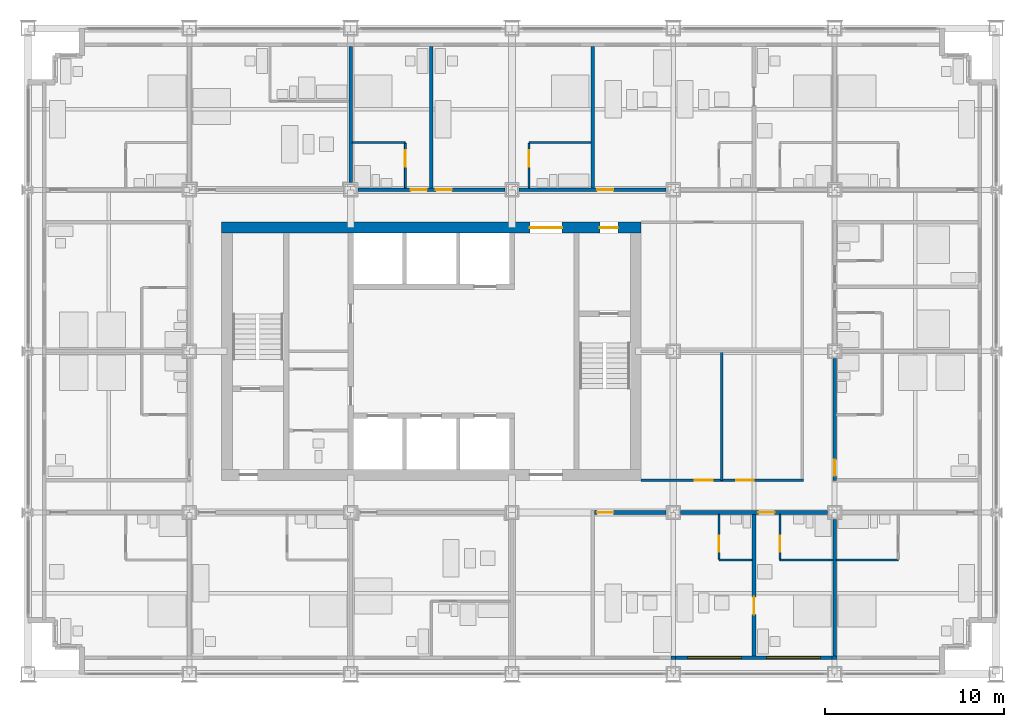
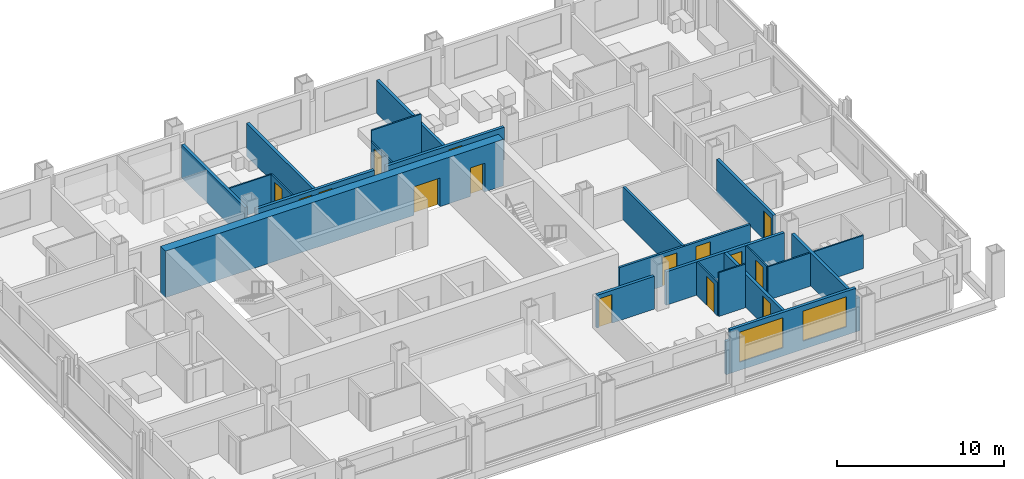
# One storey, part 12 of 18: 25 walls, 15 doors, 2 windows, 17 openings.
"""IFC4 building model written with IfcOpenShell, lengths in metres."""

from ifc_helpers import new_model, si_unit, direction, frame, frame_2d, origin, place, context, subcontext, project, spatial, rectangle, extrude, material, layer, layer_set, type_object, element, fill, save


model = new_model("IFC4")

# Units and contexts
model_context = context("Model", 3, precision=1e-05, world=origin(), true_north=direction((0.0, 1.0)))
body_context = subcontext(model_context, "Body", "Model", "MODEL_VIEW")
ifc_project = project(units=[si_unit("LENGTHUNIT", "METRE"), si_unit("AREAUNIT", "SQUARE_METRE"), si_unit("VOLUMEUNIT", "CUBIC_METRE"), si_unit("PLANEANGLEUNIT", "RADIAN"), si_unit("MASSUNIT", "GRAM", prefix="KILO")], contexts=[model_context])

# Site, building, storey
site_placement = place(None, origin())
site = spatial("IfcSite", under=ifc_project, at=site_placement, CompositionType="ELEMENT")
building_placement = place(site_placement, origin())
building = spatial("IfcBuilding", under=site, at=building_placement, Name="Loomwork Tower", CompositionType="ELEMENT")
storey_placement = place(building_placement, frame((0.0, 0.0, 75.60009765625)))
storey = spatial("IfcBuildingStorey", under=building, at=storey_placement, Name="L19", CompositionType="ELEMENT", Elevation=75.60009765625)

# Wall, openings, doors
ifc_material_1 = material(Name="Concrete 14000 psi (97 MPa)", Category="concrete")
ifc_layer_1 = layer(ifc_material_1, 0.60009765625)
ifc_layer_set_1 = layer_set([ifc_layer_1], Name="Core shear wall 600")
wall_type_1 = type_object("IfcWallType", Name="Core shear wall 600", PredefinedType="SHEAR", material=ifc_layer_set_1)
wall_1_placement = place(storey_placement, frame((10.800048828125, 24.89990234375, 0.0), z_axis=(0.0, 0.0, 1.0), x_axis=(1.0, 0.0, 0.0)))
wall_1 = element("IfcWall", 1, at=wall_1_placement, inside=storey, type_object=wall_type_1, Name="Core wall north L19", PredefinedType="SHEAR", context=body_context, shape_type="SweptSolid", body=[
    extrude(rectangle(XDim=23.39990234375, YDim=0.60009765625, at=frame_2d((11.699951171875, 0.0))), origin(), (0.0, 0.0, 1.0), 3.39990234375),
])
opening_1_placement = place(wall_1_placement, frame((17.199951171875, 0.0, 0.0)))
opening_1 = element("IfcOpeningElement", 2, at=opening_1_placement, cuts=wall_1, Name="Opening D6", PredefinedType="OPENING", context=body_context, shape_type="SweptSolid", body=[
    extrude(rectangle(XDim=1.800048828125, YDim=2.10009765625, at=frame_2d((0.89990234375, 1.050048828125))), frame((0.0, 0.31005859375, 0.0), z_axis=(0.0, -1.0, 0.0), x_axis=(1.0, 0.0, 0.0)), (0.0, 0.0, 1.0), 0.6201171875),
])
opening_2_placement = place(wall_1_placement, frame((21.10009765625, 0.0, 0.0)))
opening_2 = element("IfcOpeningElement", 3, at=opening_2_placement, cuts=wall_1, Name="Opening D4", PredefinedType="OPENING", context=body_context, shape_type="SweptSolid", body=[
    extrude(rectangle(XDim=1.0, YDim=2.10009765625, at=frame_2d((0.5, 1.050048828125))), frame((0.0, 0.31005859375, 0.0), z_axis=(0.0, -1.0, 0.0), x_axis=(1.0, 0.0, 0.0)), (0.0, 0.0, 1.0), 0.6201171875),
])
ifc_material_2 = material(Name="Hollow metal door and frame")
door_type_1 = type_object("IfcDoorType", Name="Lobby passage double door 1800", OperationType="DOUBLE_DOOR_SINGLE_SWING", PredefinedType="DOOR", material=ifc_material_2)
door_1_placement = place(opening_1_placement, frame((1.800048828125, 0.0, 0.0), z_axis=(0.0, 0.0, 1.0), x_axis=(-1.0, 0.0, 0.0)))
door_1 = element("IfcDoor", 4, at=door_1_placement, inside=storey, type_object=door_type_1, Name="Lobby passage door north", OperationType="DOUBLE_DOOR_SINGLE_SWING", OverallHeight=2.10009765625, OverallWidth=1.800048828125, PredefinedType="DOOR", context=body_context, shape_type="SweptSolid", body=[
    extrude(rectangle(XDim=1.800048828125, YDim=2.10009765625, at=frame_2d((0.89990234375, 1.050048828125))), frame((0.0, 0.02490234375, 0.0), z_axis=(0.0, -1.0, 0.0), x_axis=(1.0, 0.0, 0.0)), (0.0, 0.0, 1.0), 0.050048828125),
])
fill(opening_1, door_1)
ifc_material_3 = material(Name="Hollow metal door and frame")
door_type_2 = type_object("IfcDoorType", Name="Stair door 1000", OperationType="SINGLE_SWING_RIGHT", PredefinedType="DOOR", material=ifc_material_3)
door_2_placement = place(opening_2_placement, frame((1.0, 0.0, 0.0), z_axis=(0.0, 0.0, 1.0), x_axis=(-1.0, 0.0, 0.0)))
door_2 = element("IfcDoor", 5, at=door_2_placement, inside=storey, type_object=door_type_2, Name="Stair B vestibule door", OperationType="SINGLE_SWING_LEFT", OverallHeight=2.10009765625, OverallWidth=1.0, PredefinedType="DOOR", context=body_context, shape_type="SweptSolid", body=[
    extrude(rectangle(XDim=1.0, YDim=2.10009765625, at=frame_2d((0.5, 1.050048828125))), frame((0.0, 0.02490234375, 0.0), z_axis=(0.0, -1.0, 0.0), x_axis=(1.0, 0.0, 0.0)), (0.0, 0.0, 1.0), 0.050048828125),
])
fill(opening_2, door_2)

# Wall, opening, door
ifc_material_4 = material(Name="Gypsum board on steel studs, one-hour", Category="steel")
ifc_layer_2 = layer(ifc_material_4, 0.199951171875)
ifc_layer_set_2 = layer_set([ifc_layer_2], Name="Corridor wall 200")
wall_type_2 = type_object("IfcWallType", Name="Corridor wall 200", PredefinedType="PARTITIONING", material=ifc_layer_set_2)
wall_2_placement = place(storey_placement, frame((31.60009765625, 9.0, 0.0), z_axis=(0.0, 0.0, 1.0), x_axis=(1.0, 0.0, 0.0)))
wall_2 = element("IfcWall", 6, at=wall_2_placement, inside=storey, type_object=wall_type_2, Name="South corridor wall 4", PredefinedType="PARTITIONING", context=body_context, shape_type="SweptSolid", body=[
    extrude(rectangle(XDim=4.0, YDim=0.199951171875, at=frame_2d((2.0, 0.0))), origin(), (0.0, 0.0, 1.0), 2.40478515625),
])
opening_3_placement = place(wall_2_placement, frame((0.14990234375, 0.0, 0.0)))
opening_3 = element("IfcOpeningElement", 7, at=opening_3_placement, cuts=wall_2, Name="Opening D1", PredefinedType="OPENING", context=body_context, shape_type="SweptSolid", body=[
    extrude(rectangle(XDim=0.89990234375, YDim=2.10009765625, at=frame_2d((0.449951171875, 1.050048828125))), frame((0.0, 0.10986328125, 0.0), z_axis=(0.0, -1.0, 0.0), x_axis=(1.0, 0.0, 0.0)), (0.0, 0.0, 1.0), 0.219970703125),
])
ifc_material_5 = material(Name="Hollow metal door and frame")
door_type_3 = type_object("IfcDoorType", Name="Guest room entry door 900", OperationType="SINGLE_SWING_LEFT", PredefinedType="DOOR", material=ifc_material_5)
door_3_placement = place(opening_3_placement, frame((0.89990234375, 0.0, 0.0), z_axis=(0.0, 0.0, 1.0), x_axis=(-1.0, 0.0, 0.0)))
door_3 = element("IfcDoor", 8, at=door_3_placement, inside=storey, type_object=door_type_3, Name="Guest room entry door L19 4", OperationType="SINGLE_SWING_RIGHT", OverallHeight=2.10009765625, OverallWidth=0.89990234375, PredefinedType="DOOR", context=body_context, shape_type="SweptSolid", body=[
    extrude(rectangle(XDim=0.89990234375, YDim=2.10009765625, at=frame_2d((0.449951171875, 1.050048828125))), frame((0.0, 0.02490234375, 0.0), z_axis=(0.0, -1.0, 0.0), x_axis=(1.0, 0.0, 0.0)), (0.0, 0.0, 1.0), 0.050048828125),
])
fill(opening_3, door_3)

wall_3_placement = place(storey_placement, frame((36.39990234375, 9.0, 0.0), z_axis=(0.0, 0.0, 1.0), x_axis=(1.0, 0.0, 0.0)))
wall_3 = element("IfcWall", 9, at=wall_3_placement, inside=storey, type_object=wall_type_2, Name="South corridor wall 5", PredefinedType="PARTITIONING", context=body_context, shape_type="SweptSolid", body=[
    extrude(rectangle(XDim=8.2001953125, YDim=0.199951171875, at=frame_2d((4.10009765625, 0.0))), origin(), (0.0, 0.0, 1.0), 2.43798828125),
])
opening_4_placement = place(wall_3_placement, frame((4.35009765625, 0.0, 0.0)))
opening_4 = element("IfcOpeningElement", 10, at=opening_4_placement, cuts=wall_3, Name="Opening D1", PredefinedType="OPENING", context=body_context, shape_type="SweptSolid", body=[
    extrude(rectangle(XDim=0.89990234375, YDim=2.10009765625, at=frame_2d((0.449951171875, 1.050048828125))), frame((0.0, 0.10986328125, 0.0), z_axis=(0.0, -1.0, 0.0), x_axis=(1.0, 0.0, 0.0)), (0.0, 0.0, 1.0), 0.219970703125),
])
door_4_placement = place(opening_4_placement, frame((0.89990234375, 0.0, 0.0), z_axis=(0.0, 0.0, 1.0), x_axis=(-1.0, 0.0, 0.0)))
door_4 = element("IfcDoor", 11, at=door_4_placement, inside=storey, type_object=door_type_3, Name="Guest room entry door L19 5", OperationType="SINGLE_SWING_RIGHT", OverallHeight=2.10009765625, OverallWidth=0.89990234375, PredefinedType="DOOR", context=body_context, shape_type="SweptSolid", body=[
    extrude(rectangle(XDim=0.89990234375, YDim=2.10009765625, at=frame_2d((0.449951171875, 1.050048828125))), frame((0.0, 0.02490234375, 0.0), z_axis=(0.0, -1.0, 0.0), x_axis=(1.0, 0.0, 0.0)), (0.0, 0.0, 1.0), 0.050048828125),
])
fill(opening_4, door_4)

# Wall, openings, doors
wall_4_placement = place(storey_placement, frame((18.39990234375, 27.0, 0.0), z_axis=(0.0, 0.0, 1.0), x_axis=(1.0, 0.0, 0.0)))
wall_4 = element("IfcWall", 12, at=wall_4_placement, inside=storey, type_object=wall_type_2, Name="North corridor wall 3", PredefinedType="PARTITIONING", context=body_context, shape_type="SweptSolid", body=[
    extrude(rectangle(XDim=8.2001953125, YDim=0.199951171875, at=frame_2d((4.10009765625, 0.0))), origin(), (0.0, 0.0, 1.0), 2.40478515625),
])
opening_5_placement = place(wall_4_placement, frame((2.949951171875, 0.0, 0.0)))
opening_5 = element("IfcOpeningElement", 13, at=opening_5_placement, cuts=wall_4, Name="Opening D1", PredefinedType="OPENING", context=body_context, shape_type="SweptSolid", body=[
    extrude(rectangle(XDim=0.89990234375, YDim=2.10009765625, at=frame_2d((0.449951171875, 1.050048828125))), frame((0.0, 0.10986328125, 0.0), z_axis=(0.0, -1.0, 0.0), x_axis=(1.0, 0.0, 0.0)), (0.0, 0.0, 1.0), 0.219970703125),
])
opening_6_placement = place(wall_4_placement, frame((4.35009765625, 0.0, 0.0)))
opening_6 = element("IfcOpeningElement", 14, at=opening_6_placement, cuts=wall_4, Name="Opening D1", PredefinedType="OPENING", context=body_context, shape_type="SweptSolid", body=[
    extrude(rectangle(XDim=0.89990234375, YDim=2.10009765625, at=frame_2d((0.449951171875, 1.050048828125))), frame((0.0, 0.10986328125, 0.0), z_axis=(0.0, -1.0, 0.0), x_axis=(1.0, 0.0, 0.0)), (0.0, 0.0, 1.0), 0.219970703125),
])
door_5_placement = place(opening_5_placement, origin())
door_5 = element("IfcDoor", 15, at=door_5_placement, inside=storey, type_object=door_type_3, Name="Guest room entry door L19 9", OperationType="SINGLE_SWING_RIGHT", OverallHeight=2.10009765625, OverallWidth=0.89990234375, PredefinedType="DOOR", context=body_context, shape_type="SweptSolid", body=[
    extrude(rectangle(XDim=0.89990234375, YDim=2.10009765625, at=frame_2d((0.449951171875, 1.050048828125))), frame((0.0, 0.02490234375, 0.0), z_axis=(0.0, -1.0, 0.0), x_axis=(1.0, 0.0, 0.0)), (0.0, 0.0, 1.0), 0.050048828125),
])
fill(opening_5, door_5)
door_6_placement = place(opening_6_placement, origin())
door_6 = element("IfcDoor", 16, at=door_6_placement, inside=storey, type_object=door_type_3, Name="Guest room entry door L19 10", OperationType="SINGLE_SWING_LEFT", OverallHeight=2.10009765625, OverallWidth=0.89990234375, PredefinedType="DOOR", context=body_context, shape_type="SweptSolid", body=[
    extrude(rectangle(XDim=0.89990234375, YDim=2.10009765625, at=frame_2d((0.449951171875, 1.050048828125))), frame((0.0, 0.02490234375, 0.0), z_axis=(0.0, -1.0, 0.0), x_axis=(1.0, 0.0, 0.0)), (0.0, 0.0, 1.0), 0.050048828125),
])
fill(opening_6, door_6)

# Wall, opening, door
wall_5_placement = place(storey_placement, frame((27.39990234375, 27.0, 0.0), z_axis=(0.0, 0.0, 1.0), x_axis=(1.0, 0.0, 0.0)))
wall_5 = element("IfcWall", 17, at=wall_5_placement, inside=storey, type_object=wall_type_2, Name="North corridor wall 4", PredefinedType="PARTITIONING", context=body_context, shape_type="SweptSolid", body=[
    extrude(rectangle(XDim=8.2001953125, YDim=0.199951171875, at=frame_2d((4.10009765625, 0.0))), origin(), (0.0, 0.0, 1.0), 2.40478515625),
])
opening_7_placement = place(wall_5_placement, frame((4.35009765625, 0.0, 0.0)))
opening_7 = element("IfcOpeningElement", 18, at=opening_7_placement, cuts=wall_5, Name="Opening D1", PredefinedType="OPENING", context=body_context, shape_type="SweptSolid", body=[
    extrude(rectangle(XDim=0.89990234375, YDim=2.10009765625, at=frame_2d((0.449951171875, 1.050048828125))), frame((0.0, 0.10986328125, 0.0), z_axis=(0.0, -1.0, 0.0), x_axis=(1.0, 0.0, 0.0)), (0.0, 0.0, 1.0), 0.219970703125),
])
door_7_placement = place(opening_7_placement, origin())
door_7 = element("IfcDoor", 19, at=door_7_placement, inside=storey, type_object=door_type_3, Name="Guest room entry door L19 11", OperationType="SINGLE_SWING_LEFT", OverallHeight=2.10009765625, OverallWidth=0.89990234375, PredefinedType="DOOR", context=body_context, shape_type="SweptSolid", body=[
    extrude(rectangle(XDim=0.89990234375, YDim=2.10009765625, at=frame_2d((0.449951171875, 1.050048828125))), frame((0.0, 0.02490234375, 0.0), z_axis=(0.0, -1.0, 0.0), x_axis=(1.0, 0.0, 0.0)), (0.0, 0.0, 1.0), 0.050048828125),
])
fill(opening_7, door_7)

wall_6_placement = place(storey_placement, frame((45.0, 10.800048828125, 0.0), z_axis=(0.0, 0.0, 1.0), x_axis=(0.0, 1.0, 0.0)))
wall_6 = element("IfcWall", 20, at=wall_6_placement, inside=storey, type_object=wall_type_2, Name="East corridor wall 1", PredefinedType="PARTITIONING", context=body_context, shape_type="SweptSolid", body=[
    extrude(rectangle(XDim=6.800048828125, YDim=0.199951171875, at=frame_2d((3.39990234375, 0.0))), origin(), (0.0, 0.0, 1.0), 2.43798828125),
])
opening_8_placement = place(wall_6_placement, frame((0.25, 0.0, 0.0)))
opening_8 = element("IfcOpeningElement", 21, at=opening_8_placement, cuts=wall_6, Name="Opening D1", PredefinedType="OPENING", context=body_context, shape_type="SweptSolid", body=[
    extrude(rectangle(XDim=0.89990234375, YDim=2.10009765625, at=frame_2d((0.449951171875, 1.050048828125))), frame((0.0, 0.10986328125, 0.0), z_axis=(0.0, -1.0, 0.0), x_axis=(1.0, 0.0, 0.0)), (0.0, 0.0, 1.0), 0.219970703125),
])
door_8_placement = place(opening_8_placement, frame((0.89990234375, 0.0, 0.0), z_axis=(0.0, 0.0, 1.0), x_axis=(-1.0, 0.0, 0.0)))
door_8 = element("IfcDoor", 22, at=door_8_placement, inside=storey, type_object=door_type_3, Name="Guest room entry door L19 16", OperationType="SINGLE_SWING_RIGHT", OverallHeight=2.10009765625, OverallWidth=0.89990234375, PredefinedType="DOOR", context=body_context, shape_type="SweptSolid", body=[
    extrude(rectangle(XDim=0.89990234375, YDim=2.10009765625, at=frame_2d((0.449951171875, 1.050048828125))), frame((0.0, 0.02490234375, 0.0), z_axis=(0.0, -1.0, 0.0), x_axis=(1.0, 0.0, 0.0)), (0.0, 0.0, 1.0), 0.050048828125),
])
fill(opening_8, door_8)

# Wall
ifc_material_6 = material(Name="Cement board on steel studs", Category="steel")
ifc_layer_3 = layer(ifc_material_6, 0.10009765625)
ifc_layer_set_3 = layer_set([ifc_layer_3], Name="En-suite partition 100")
wall_type_3 = type_object("IfcWallType", Name="En-suite partition 100", PredefinedType="PARTITIONING", material=ifc_layer_set_3)
wall_7_placement = place(storey_placement, frame((38.550048828125, 6.35009765625, 0.0), z_axis=(0.0, 0.0, 1.0), x_axis=(1.0, 0.0, 0.0)))
element("IfcWall", 23, at=wall_7_placement, inside=storey, type_object=wall_type_3, Name="En-suite wall L19 room 4", PredefinedType="PARTITIONING", context=body_context, shape_type="SweptSolid", body=[
    extrude(rectangle(XDim=1.849853515625, YDim=0.10009765625, at=frame_2d((0.9248046875, 0.0))), origin(), (0.0, 0.0, 1.0), 3.199951171875),
])

# Wall, opening, door
wall_8_placement = place(storey_placement, frame((38.550048828125, 8.89990234375, 0.0), z_axis=(0.0, 0.0, 1.0), x_axis=(0.0, -1.0, 0.0)))
wall_8 = element("IfcWall", 24, at=wall_8_placement, inside=storey, type_object=wall_type_3, Name="En-suite side wall L19 room 4", PredefinedType="PARTITIONING", context=body_context, shape_type="SweptSolid", body=[
    extrude(rectangle(XDim=2.5, YDim=0.10009765625, at=frame_2d((1.25, 0.0))), origin(), (0.0, 0.0, 1.0), 2.43798828125),
])
opening_9_placement = place(wall_8_placement, frame((1.199951171875, 0.0, 0.0)))
opening_9 = element("IfcOpeningElement", 25, at=opening_9_placement, cuts=wall_8, Name="Opening D2", PredefinedType="OPENING", context=body_context, shape_type="SweptSolid", body=[
    extrude(rectangle(XDim=0.89990234375, YDim=2.10009765625, at=frame_2d((0.449951171875, 1.050048828125))), frame((0.0, 0.06005859375, 0.0), z_axis=(0.0, -1.0, 0.0), x_axis=(1.0, 0.0, 0.0)), (0.0, 0.0, 1.0), 0.1201171875),
])
ifc_material_7 = material(Name="Hollow metal door and frame")
door_type_4 = type_object("IfcDoorType", Name="En-suite door 900", OperationType="SINGLE_SWING_LEFT", PredefinedType="DOOR", material=ifc_material_7)
door_9_placement = place(opening_9_placement, origin())
door_9 = element("IfcDoor", 26, at=door_9_placement, inside=storey, type_object=door_type_4, Name="Suite powder room door room 4", OperationType="SINGLE_SWING_RIGHT", OverallHeight=2.10009765625, OverallWidth=0.89990234375, PredefinedType="DOOR", context=body_context, shape_type="SweptSolid", body=[
    extrude(rectangle(XDim=0.89990234375, YDim=2.10009765625, at=frame_2d((0.449951171875, 1.050048828125))), frame((0.0, 0.02490234375, 0.0), z_axis=(0.0, -1.0, 0.0), x_axis=(1.0, 0.0, 0.0)), (0.0, 0.0, 1.0), 0.050048828125),
])
fill(opening_9, door_9)

# Wall
wall_9_placement = place(storey_placement, frame((41.949951171875, 6.35009765625, 0.0), z_axis=(0.0, 0.0, 1.0), x_axis=(1.0, 0.0, 0.0)))
element("IfcWall", 27, at=wall_9_placement, inside=storey, type_object=wall_type_3, Name="En-suite wall L19 room 5", PredefinedType="PARTITIONING", context=body_context, shape_type="SweptSolid", body=[
    extrude(rectangle(XDim=2.949951171875, YDim=0.10009765625, at=frame_2d((1.47509765625, 0.0))), origin(), (0.0, 0.0, 1.0), 2.43798828125),
])

# Wall, opening, door
wall_10_placement = place(storey_placement, frame((41.949951171875, 8.89990234375, 0.0), z_axis=(0.0, 0.0, 1.0), x_axis=(0.0, -1.0, 0.0)))
wall_10 = element("IfcWall", 28, at=wall_10_placement, inside=storey, type_object=wall_type_3, Name="En-suite side wall L19 room 5", PredefinedType="PARTITIONING", context=body_context, shape_type="SweptSolid", body=[
    extrude(rectangle(XDim=2.5, YDim=0.10009765625, at=frame_2d((1.25, 0.0))), origin(), (0.0, 0.0, 1.0), 2.43798828125),
])
opening_10_placement = place(wall_10_placement, frame((1.199951171875, 0.0, 0.0)))
opening_10 = element("IfcOpeningElement", 29, at=opening_10_placement, cuts=wall_10, Name="Opening D2", PredefinedType="OPENING", context=body_context, shape_type="SweptSolid", body=[
    extrude(rectangle(XDim=0.89990234375, YDim=2.10009765625, at=frame_2d((0.449951171875, 1.050048828125))), frame((0.0, 0.06005859375, 0.0), z_axis=(0.0, -1.0, 0.0), x_axis=(1.0, 0.0, 0.0)), (0.0, 0.0, 1.0), 0.1201171875),
])
door_10_placement = place(opening_10_placement, origin())
door_10 = element("IfcDoor", 30, at=door_10_placement, inside=storey, type_object=door_type_4, Name="En-suite door room 5", OperationType="SINGLE_SWING_RIGHT", OverallHeight=2.10009765625, OverallWidth=0.89990234375, PredefinedType="DOOR", context=body_context, shape_type="SweptSolid", body=[
    extrude(rectangle(XDim=0.89990234375, YDim=2.10009765625, at=frame_2d((0.449951171875, 1.050048828125))), frame((0.0, 0.02490234375, 0.0), z_axis=(0.0, -1.0, 0.0), x_axis=(1.0, 0.0, 0.0)), (0.0, 0.0, 1.0), 0.050048828125),
])
fill(opening_10, door_10)

# Walls
wall_11_placement = place(storey_placement, frame((45.10009765625, 6.35009765625, 0.0), z_axis=(0.0, 0.0, 1.0), x_axis=(1.0, 0.0, 0.0)))
element("IfcWall", 31, at=wall_11_placement, inside=storey, type_object=wall_type_3, Name="En-suite wall L19 room 6", PredefinedType="PARTITIONING", context=body_context, shape_type="SweptSolid", body=[
    extrude(rectangle(XDim=3.449951171875, YDim=0.10009765625, at=frame_2d((1.72509765625, 0.0))), origin(), (0.0, 0.0, 1.0), 2.43798828125),
])
wall_12_placement = place(storey_placement, frame((18.10009765625, 29.64990234375, 0.0), z_axis=(0.0, 0.0, 1.0), x_axis=(1.0, 0.0, 0.0)))
element("IfcWall", 32, at=wall_12_placement, inside=storey, type_object=wall_type_3, Name="En-suite wall L19 room 9", PredefinedType="PARTITIONING", context=body_context, shape_type="SweptSolid", body=[
    extrude(rectangle(XDim=2.949951171875, YDim=0.10009765625, at=frame_2d((1.47509765625, 0.0))), origin(), (0.0, 0.0, 1.0), 2.40380859375),
])

# Wall, opening, door
wall_13_placement = place(storey_placement, frame((21.050048828125, 27.10009765625, 0.0), z_axis=(0.0, 0.0, 1.0), x_axis=(0.0, 1.0, 0.0)))
wall_13 = element("IfcWall", 33, at=wall_13_placement, inside=storey, type_object=wall_type_3, Name="En-suite side wall L19 room 9", PredefinedType="PARTITIONING", context=body_context, shape_type="SweptSolid", body=[
    extrude(rectangle(XDim=2.5, YDim=0.10009765625, at=frame_2d((1.25, 0.0))), origin(), (0.0, 0.0, 1.0), 2.40380859375),
])
opening_11_placement = place(wall_13_placement, frame((1.199951171875, 0.0, 0.0)))
opening_11 = element("IfcOpeningElement", 34, at=opening_11_placement, cuts=wall_13, Name="Opening D2", PredefinedType="OPENING", context=body_context, shape_type="SweptSolid", body=[
    extrude(rectangle(XDim=0.89990234375, YDim=2.10009765625, at=frame_2d((0.449951171875, 1.050048828125))), frame((0.0, 0.06005859375, 0.0), z_axis=(0.0, -1.0, 0.0), x_axis=(1.0, 0.0, 0.0)), (0.0, 0.0, 1.0), 0.1201171875),
])
door_11_placement = place(opening_11_placement, origin())
door_11 = element("IfcDoor", 35, at=door_11_placement, inside=storey, type_object=door_type_4, Name="En-suite door room 9", OperationType="SINGLE_SWING_RIGHT", OverallHeight=2.10009765625, OverallWidth=0.89990234375, PredefinedType="DOOR", context=body_context, shape_type="SweptSolid", body=[
    extrude(rectangle(XDim=0.89990234375, YDim=2.10009765625, at=frame_2d((0.449951171875, 1.050048828125))), frame((0.0, 0.02490234375, 0.0), z_axis=(0.0, -1.0, 0.0), x_axis=(1.0, 0.0, 0.0)), (0.0, 0.0, 1.0), 0.050048828125),
])
fill(opening_11, door_11)

# Wall
wall_14_placement = place(storey_placement, frame((27.949951171875, 29.64990234375, 0.0), z_axis=(0.0, 0.0, 1.0), x_axis=(1.0, 0.0, 0.0)))
element("IfcWall", 36, at=wall_14_placement, inside=storey, type_object=wall_type_3, Name="En-suite wall L19 room 10", PredefinedType="PARTITIONING", context=body_context, shape_type="SweptSolid", body=[
    extrude(rectangle(XDim=3.449951171875, YDim=0.10009765625, at=frame_2d((1.72509765625, 0.0))), origin(), (0.0, 0.0, 1.0), 3.199951171875),
])

# Wall, opening, door
wall_15_placement = place(storey_placement, frame((27.949951171875, 27.10009765625, 0.0), z_axis=(0.0, 0.0, 1.0), x_axis=(0.0, 1.0, 0.0)))
wall_15 = element("IfcWall", 37, at=wall_15_placement, inside=storey, type_object=wall_type_3, Name="En-suite side wall L19 room 10", PredefinedType="PARTITIONING", context=body_context, shape_type="SweptSolid", body=[
    extrude(rectangle(XDim=2.5, YDim=0.10009765625, at=frame_2d((1.25, 0.0))), origin(), (0.0, 0.0, 1.0), 2.40380859375),
])
opening_12_placement = place(wall_15_placement, frame((1.199951171875, 0.0, 0.0)))
opening_12 = element("IfcOpeningElement", 38, at=opening_12_placement, cuts=wall_15, Name="Opening D2", PredefinedType="OPENING", context=body_context, shape_type="SweptSolid", body=[
    extrude(rectangle(XDim=0.89990234375, YDim=2.10009765625, at=frame_2d((0.449951171875, 1.050048828125))), frame((0.0, 0.06005859375, 0.0), z_axis=(0.0, -1.0, 0.0), x_axis=(1.0, 0.0, 0.0)), (0.0, 0.0, 1.0), 0.1201171875),
])
door_12_placement = place(opening_12_placement, frame((0.89990234375, 0.0, 0.0), z_axis=(0.0, 0.0, 1.0), x_axis=(-1.0, 0.0, 0.0)))
door_12 = element("IfcDoor", 39, at=door_12_placement, inside=storey, type_object=door_type_4, Name="En-suite door room 10", OperationType="SINGLE_SWING_LEFT", OverallHeight=2.10009765625, OverallWidth=0.89990234375, PredefinedType="DOOR", context=body_context, shape_type="SweptSolid", body=[
    extrude(rectangle(XDim=0.89990234375, YDim=2.10009765625, at=frame_2d((0.449951171875, 1.050048828125))), frame((0.0, 0.02490234375, 0.0), z_axis=(0.0, -1.0, 0.0), x_axis=(1.0, 0.0, 0.0)), (0.0, 0.0, 1.0), 0.050048828125),
])
fill(opening_12, door_12)

ifc_material_8 = material(Name="Gypsum board on steel studs, acoustic", Category="steel")
ifc_layer_4 = layer(ifc_material_8, 0.199951171875)
ifc_layer_set_4 = layer_set([ifc_layer_4], Name="Guest room party wall 200")
wall_type_4 = type_object("IfcWallType", Name="Guest room party wall 200", PredefinedType="PARTITIONING", material=ifc_layer_set_4)
wall_16_placement = place(storey_placement, frame((40.5, 8.89990234375, 0.0), z_axis=(0.0, 0.0, 1.0), x_axis=(0.0, -1.0, 0.0)))
wall_16 = element("IfcWall", 40, at=wall_16_placement, inside=storey, type_object=wall_type_4, Name="Guest room party wall S 40.5", PredefinedType="PARTITIONING", context=body_context, shape_type="SweptSolid", body=[
    extrude(rectangle(XDim=7.89990234375, YDim=0.199951171875, at=frame_2d((3.949951171875, 0.0))), origin(), (0.0, 0.0, 1.0), 2.43798828125),
])
opening_13_placement = place(wall_16_placement, frame((4.60009765625, 0.0, 0.0)))
opening_13 = element("IfcOpeningElement", 41, at=opening_13_placement, cuts=wall_16, Name="Opening D7", PredefinedType="OPENING", context=body_context, shape_type="SweptSolid", body=[
    extrude(rectangle(XDim=1.0, YDim=2.10009765625, at=frame_2d((0.5, 1.050048828125))), frame((0.0, 0.10986328125, 0.0), z_axis=(0.0, -1.0, 0.0), x_axis=(1.0, 0.0, 0.0)), (0.0, 0.0, 1.0), 0.219970703125),
])
ifc_material_9 = material(Name="Hollow metal door and frame")
door_type_5 = type_object("IfcDoorType", Name="Room door 1000", OperationType="SINGLE_SWING_LEFT", PredefinedType="DOOR", material=ifc_material_9)
door_13_placement = place(opening_13_placement, origin())
door_13 = element("IfcDoor", 42, at=door_13_placement, inside=storey, type_object=door_type_5, Name="Suite connecting door L19 S 40.5", OperationType="SINGLE_SWING_LEFT", OverallHeight=2.10009765625, OverallWidth=1.0, PredefinedType="DOOR", context=body_context, shape_type="SweptSolid", body=[
    extrude(rectangle(XDim=1.0, YDim=2.10009765625, at=frame_2d((0.5, 1.050048828125))), frame((0.0, 0.02490234375, 0.0), z_axis=(0.0, -1.0, 0.0), x_axis=(1.0, 0.0, 0.0)), (0.0, 0.0, 1.0), 0.050048828125),
])
fill(opening_13, door_13)

# Walls
wall_17_placement = place(storey_placement, frame((45.0, 8.60009765625, 0.0), z_axis=(0.0, 0.0, 1.0), x_axis=(0.0, -1.0, 0.0)))
element("IfcWall", 43, at=wall_17_placement, inside=storey, type_object=wall_type_4, Name="Guest room party wall S 45", PredefinedType="PARTITIONING", context=body_context, shape_type="SweptSolid", body=[
    extrude(rectangle(XDim=7.60009765625, YDim=0.199951171875, at=frame_2d((3.800048828125, 0.0))), origin(), (0.0, 0.0, 1.0), 2.43798828125),
])
wall_18_placement = place(storey_placement, frame((18.0, 27.39990234375, 0.0), z_axis=(0.0, 0.0, 1.0), x_axis=(0.0, 1.0, 0.0)))
element("IfcWall", 44, at=wall_18_placement, inside=storey, type_object=wall_type_4, Name="Guest room party wall N 18", PredefinedType="PARTITIONING", context=body_context, shape_type="SweptSolid", body=[
    extrude(rectangle(XDim=7.60009765625, YDim=0.199951171875, at=frame_2d((3.800048828125, 0.0))), origin(), (0.0, 0.0, 1.0), 2.40478515625),
])
for number, where, z_axis, x_axis, name in (
    (45, (22.5, 27.10009765625, 0.0), (0.0, 0.0, 1.0), (0.0, 1.0, 0.0), "Guest room party wall N 22.5"),
    (46, (31.5, 27.10009765625, 0.0), (0.0, 0.0, 1.0), (0.0, 1.0, 0.0), "Guest room party wall N 31.5"),
):
    element("IfcWall", number, at=place(storey_placement, frame(where, z_axis=z_axis, x_axis=x_axis)), inside=storey, type_object=wall_type_4, Name=name, PredefinedType="PARTITIONING", context=body_context, shape_type="SweptSolid", body=[
        extrude(rectangle(XDim=7.89990234375, YDim=0.199951171875, at=frame_2d((3.949951171875, 0.0))), origin(), (0.0, 0.0, 1.0), 2.40380859375),
    ])
ifc_material_10 = material(Name="Insulated steel stud wall with gypsum lining", Category="steel")
ifc_layer_5 = layer(ifc_material_10, 0.199951171875)
ifc_layer_set_5 = layer_set([ifc_layer_5], Name="Inner skin wall 200")
wall_type_5 = type_object("IfcWallType", Name="Inner skin wall 200", PredefinedType="SOLIDWALL", material=ifc_layer_set_5)
wall_19_placement = place(storey_placement, frame((35.864501953125, 0.89990234375, 0.0), z_axis=(0.0, 0.0, 1.0), x_axis=(1.0, 0.0, 0.0)))
element("IfcWall", 47, at=wall_19_placement, inside=storey, type_object=wall_type_5, Name="Inner skin wall S bay 8", PredefinedType="SOLIDWALL", context=body_context, shape_type="SweptSolid", body=[
    extrude(rectangle(XDim=0.27099609375, YDim=0.199951171875, at=frame_2d((0.135498046875, 0.0))), origin(), (0.0, 0.0, 1.0), 2.43798828125),
])

# Wall, openings, windows
wall_20_placement = place(storey_placement, frame((36.135498046875, 0.89990234375, 0.0), z_axis=(0.0, 0.0, 1.0), x_axis=(1.0, 0.0, 0.0)))
wall_20 = element("IfcWall", 48, at=wall_20_placement, inside=storey, type_object=wall_type_5, Name="Inner skin wall S bay 9", PredefinedType="SOLIDWALL", context=body_context, shape_type="SweptSolid", body=[
    extrude(rectangle(XDim=8.72900390625, YDim=0.199951171875, at=frame_2d((4.364501953125, 0.0))), origin(), (0.0, 0.0, 1.0), 3.199951171875),
])
opening_14_placement = place(wall_20_placement, frame((0.66455078125, 0.0, 0.60009765625)))
opening_14 = element("IfcOpeningElement", 49, at=opening_14_placement, cuts=wall_20, Name="Opening CH1", PredefinedType="OPENING", context=body_context, shape_type="SweptSolid", body=[
    extrude(rectangle(XDim=3.0, YDim=2.199951171875, at=frame_2d((1.5, 1.10009765625))), frame((0.0, 0.10986328125, 0.0), z_axis=(0.0, -1.0, 0.0), x_axis=(1.0, 0.0, 0.0)), (0.0, 0.0, 1.0), 0.219970703125),
])
opening_15_placement = place(wall_20_placement, frame((5.064697265625, 0.0, 0.60009765625)))
opening_15 = element("IfcOpeningElement", 50, at=opening_15_placement, cuts=wall_20, Name="Opening CH1", PredefinedType="OPENING", context=body_context, shape_type="SweptSolid", body=[
    extrude(rectangle(XDim=3.0, YDim=2.199951171875, at=frame_2d((1.5, 1.10009765625))), frame((0.0, 0.10986328125, 0.0), z_axis=(0.0, -1.0, 0.0), x_axis=(1.0, 0.0, 0.0)), (0.0, 0.0, 1.0), 0.219970703125),
])
ifc_material_11 = material(Name="Aluminium frame with clear insulated glass", Category="aluminium")
window_type = type_object("IfcWindowType", Name="Chicago window 3000", PartitioningType="TRIPLE_PANEL_VERTICAL", PredefinedType="WINDOW", material=ifc_material_11)
window_1_placement = place(opening_14_placement, origin())
window_1 = element("IfcWindow", 51, at=window_1_placement, inside=storey, type_object=window_type, Name="Chicago window L19 bay 5", OverallHeight=2.199951171875, OverallWidth=3.0, PartitioningType="TRIPLE_PANEL_VERTICAL", PredefinedType="WINDOW", context=body_context, shape_type="SweptSolid", body=[
    extrude(rectangle(XDim=3.0, YDim=2.199951171875, at=frame_2d((1.5, 1.10009765625))), frame((0.0, 0.030029296875, 0.0), z_axis=(0.0, -1.0, 0.0), x_axis=(1.0, 0.0, 0.0)), (0.0, 0.0, 1.0), 0.06005859375),
])
fill(opening_14, window_1)
window_2_placement = place(opening_15_placement, origin())
window_2 = element("IfcWindow", 52, at=window_2_placement, inside=storey, type_object=window_type, Name="Chicago window L19 bay 5", OverallHeight=2.199951171875, OverallWidth=3.0, PartitioningType="TRIPLE_PANEL_VERTICAL", PredefinedType="WINDOW", context=body_context, shape_type="SweptSolid", body=[
    extrude(rectangle(XDim=3.0, YDim=2.199951171875, at=frame_2d((1.5, 1.10009765625))), frame((0.0, 0.030029296875, 0.0), z_axis=(0.0, -1.0, 0.0), x_axis=(1.0, 0.0, 0.0)), (0.0, 0.0, 1.0), 0.06005859375),
])
fill(opening_15, window_2)

# Wall
wall_21_placement = place(storey_placement, frame((44.864501953125, 0.89990234375, 0.0), z_axis=(0.0, 0.0, 1.0), x_axis=(1.0, 0.0, 0.0)))
element("IfcWall", 53, at=wall_21_placement, inside=storey, type_object=wall_type_5, Name="Inner skin wall S bay 10", PredefinedType="SOLIDWALL", context=body_context, shape_type="SweptSolid", body=[
    extrude(rectangle(XDim=0.27099609375, YDim=0.199951171875, at=frame_2d((0.135498046875, 0.0))), origin(), (0.0, 0.0, 1.0), 2.43798828125),
])

# Wall, openings, doors
ifc_material_12 = material(Name="Gypsum board on steel studs, one-hour", Category="steel")
ifc_layer_6 = layer(ifc_material_12, 0.14990234375)
ifc_layer_set_6 = layer_set([ifc_layer_6], Name="Service partition 150")
wall_type_6 = type_object("IfcWallType", Name="Service partition 150", PredefinedType="PARTITIONING", material=ifc_layer_set_6)
wall_22_placement = place(storey_placement, frame((34.199951171875, 10.800048828125, 0.0), z_axis=(0.0, 0.0, 1.0), x_axis=(1.0, 0.0, 0.0)))
wall_22 = element("IfcWall", 54, at=wall_22_placement, inside=storey, type_object=wall_type_6, Name="Service block wall S", PredefinedType="PARTITIONING", context=body_context, shape_type="SweptSolid", body=[
    extrude(rectangle(XDim=9.074951171875, YDim=0.14990234375, at=frame_2d((4.53759765625, 0.0))), origin(), (0.0, 0.0, 1.0), 2.40380859375),
])
opening_16_placement = place(wall_22_placement, frame((5.300048828125, 0.0, 0.0)))
opening_16 = element("IfcOpeningElement", 55, at=opening_16_placement, cuts=wall_22, Name="Opening D5", PredefinedType="OPENING", context=body_context, shape_type="SweptSolid", body=[
    extrude(rectangle(XDim=1.0, YDim=2.10009765625, at=frame_2d((0.5, 1.050048828125))), frame((0.0, 0.0849609375, 0.0), z_axis=(0.0, -1.0, 0.0), x_axis=(1.0, 0.0, 0.0)), (0.0, 0.0, 1.0), 0.169921875),
])
opening_17_placement = place(wall_22_placement, frame((3.0, 0.0, 0.0)))
opening_17 = element("IfcOpeningElement", 56, at=opening_17_placement, cuts=wall_22, Name="Opening D5", PredefinedType="OPENING", context=body_context, shape_type="SweptSolid", body=[
    extrude(rectangle(XDim=1.0, YDim=2.10009765625, at=frame_2d((0.5, 1.050048828125))), frame((0.0, 0.0849609375, 0.0), z_axis=(0.0, -1.0, 0.0), x_axis=(1.0, 0.0, 0.0)), (0.0, 0.0, 1.0), 0.169921875),
])
ifc_material_13 = material(Name="Hollow metal door and frame")
door_type_6 = type_object("IfcDoorType", Name="Service door 1000", OperationType="SINGLE_SWING_LEFT", PredefinedType="DOOR", material=ifc_material_13)
door_14_placement = place(opening_16_placement, origin())
door_14 = element("IfcDoor", 57, at=door_14_placement, inside=storey, type_object=door_type_6, Name="Linen store door", OperationType="SINGLE_SWING_LEFT", OverallHeight=2.10009765625, OverallWidth=1.0, PredefinedType="DOOR", context=body_context, shape_type="SweptSolid", body=[
    extrude(rectangle(XDim=1.0, YDim=2.10009765625, at=frame_2d((0.5, 1.050048828125))), frame((0.0, 0.02490234375, 0.0), z_axis=(0.0, -1.0, 0.0), x_axis=(1.0, 0.0, 0.0)), (0.0, 0.0, 1.0), 0.050048828125),
])
fill(opening_16, door_14)
door_15_placement = place(opening_17_placement, origin())
door_15 = element("IfcDoor", 58, at=door_15_placement, inside=storey, type_object=door_type_6, Name="Housekeeping store door", OperationType="SINGLE_SWING_RIGHT", OverallHeight=2.10009765625, OverallWidth=1.0, PredefinedType="DOOR", context=body_context, shape_type="SweptSolid", body=[
    extrude(rectangle(XDim=1.0, YDim=2.10009765625, at=frame_2d((0.5, 1.050048828125))), frame((0.0, 0.02490234375, 0.0), z_axis=(0.0, -1.0, 0.0), x_axis=(1.0, 0.0, 0.0)), (0.0, 0.0, 1.0), 0.050048828125),
])
fill(opening_17, door_15)

# Wall
wall_23_placement = place(storey_placement, frame((38.699951171875, 10.800048828125, 0.0), z_axis=(0.0, 0.0, 1.0), x_axis=(0.0, 1.0, 0.0)))
element("IfcWall", 59, at=wall_23_placement, inside=storey, type_object=wall_type_6, Name="Housekeeping partition L19", PredefinedType="PARTITIONING", context=body_context, shape_type="SweptSolid", body=[
    extrude(rectangle(XDim=7.199951171875, YDim=0.14990234375, at=frame_2d((3.60009765625, 0.0))), origin(), (0.0, 0.0, 1.0), 2.40380859375),
])

save(model, "model.ifc")
